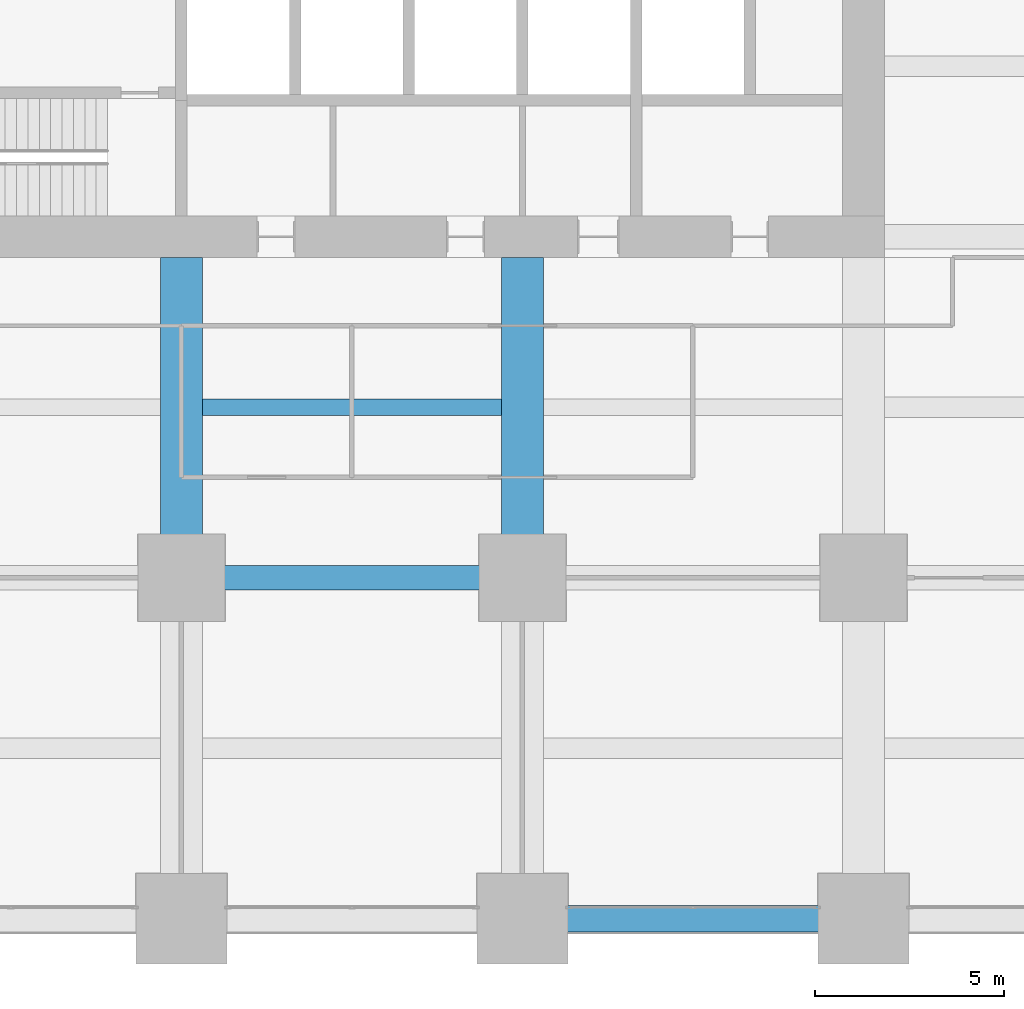
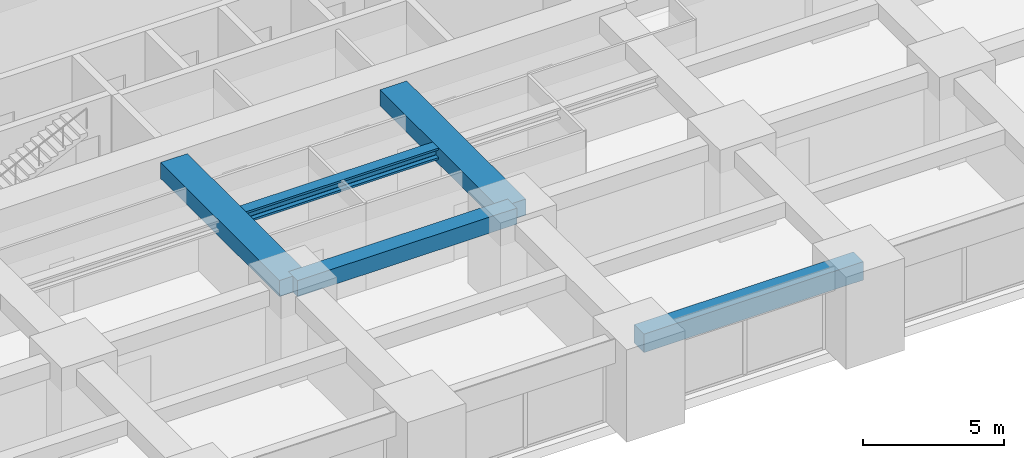
# One storey, part 11 of 38: 5 beams.
"""IFC4 building model written with IfcOpenShell, lengths in metres."""

from ifc_helpers import new_model, si_unit, direction, frame, origin, origin_2d, place, context, subcontext, project, spatial, rectangle, i_section, extrude, material, material_profile, profile_set, type_object, element, save


model = new_model("IFC4")

# Units and contexts
model_context = context("Model", 3, precision=1e-05, world=origin(), true_north=direction((0.0, 1.0)))
body_context = subcontext(model_context, "Body", "Model", "MODEL_VIEW")
ifc_project = project(units=[si_unit("LENGTHUNIT", "METRE"), si_unit("AREAUNIT", "SQUARE_METRE"), si_unit("VOLUMEUNIT", "CUBIC_METRE"), si_unit("PLANEANGLEUNIT", "RADIAN"), si_unit("MASSUNIT", "GRAM", prefix="KILO")], contexts=[model_context])

# Site, building, storey
site_placement = place(None, origin())
site = spatial("IfcSite", under=ifc_project, at=site_placement, CompositionType="ELEMENT")
building_placement = place(site_placement, origin())
building = spatial("IfcBuilding", under=site, at=building_placement, Name="Zorevar Civic Tower", CompositionType="ELEMENT")
storey_placement = place(building_placement, frame((0.0, 0.0, 15.800048828125)))
storey = spatial("IfcBuildingStorey", under=building, at=storey_placement, Name="L03", CompositionType="ELEMENT", Elevation=15.800048828125)

# Beams
ifc_material_1 = material(Name="Concrete C50/60", Category="concrete")
ifc_material_profile_1 = material_profile(ifc_material_1, rectangle(XDim=1.10009765625, YDim=0.699951171875, at=origin_2d()), Name="RC 1100x700")
ifc_profile_set_1 = profile_set([ifc_material_profile_1], Name="Concrete C50/60")
beam_type_1 = type_object("IfcBeamType", Name="Beam RC 1100x700", PredefinedType="BEAM", material=ifc_profile_set_1)
for number, where, z_axis, x_axis, name in (
    (1, (27.0, 9.0, 3.39990234375), (0.0, 1.0, 0.0), (-1.0, 0.0, 0.0), "Girder L04"),
    (2, (36.0, 9.0, 3.39990234375), (0.0, 1.0, 0.0), (-1.0, 0.0, 0.0), "Girder L04"),
):
    element("IfcBeam", number, at=place(storey_placement, frame(where, z_axis=z_axis, x_axis=x_axis)), inside=storey, type_object=beam_type_1, Name=name, PredefinedType="BEAM", context=body_context, shape_type="SweptSolid", body=[
        extrude(rectangle(XDim=1.10009765625, YDim=0.699951171875, at=origin_2d()), origin(), (0.0, 0.0, 1.0), 8.449951171875),
    ])
ifc_material_2 = material(Name="Concrete C50/60", Category="concrete")
ifc_material_profile_2 = material_profile(ifc_material_2, rectangle(XDim=0.64990234375, YDim=0.699951171875, at=origin_2d()), Name="RC 650x700")
ifc_profile_set_2 = profile_set([ifc_material_profile_2], Name="Concrete C50/60")
beam_type_2 = type_object("IfcBeamType", Name="Beam RC 650x700", PredefinedType="BEAM", material=ifc_profile_set_2)
beam_1_placement = place(storey_placement, frame((27.0, 9.0, 3.39990234375), z_axis=(1.0, 0.0, 0.0), x_axis=(0.0, 1.0, 0.0)))
element("IfcBeam", 3, at=beam_1_placement, inside=storey, type_object=beam_type_2, Name="Girder L04", PredefinedType="BEAM", context=body_context, shape_type="SweptSolid", body=[
    extrude(rectangle(XDim=0.64990234375, YDim=0.699951171875, at=origin_2d()), origin(), (0.0, 0.0, 1.0), 9.0),
])
ifc_material_3 = material(Name="Steel S460M (HISTAR 460)", Category="steel")
ifc_material_profile_3 = material_profile(ifc_material_3, i_section(OverallWidth=0.431884765625, OverallDepth=0.498046875, WebThickness=0.0556640625, FlangeThickness=0.0888671875, FilletRadius=0.014892578125, at=origin_2d()), Name="HD 400x744")
ifc_profile_set_3 = profile_set([ifc_material_profile_3], Name="Steel S460M (HISTAR 460)")
beam_type_3 = type_object("IfcBeamType", Name="Core bay beam HD 400x744", PredefinedType="BEAM", material=ifc_profile_set_3)
beam_2_placement = place(storey_placement, frame((27.550048828125, 13.5, 3.5009765625), z_axis=(1.0, 0.0, 0.0), x_axis=(0.0, 1.0, 0.0)))
element("IfcBeam", 4, at=beam_2_placement, inside=storey, type_object=beam_type_3, Name="Secondary beam L04", PredefinedType="BEAM", context=body_context, shape_type="SweptSolid", body=[
    extrude(i_section(OverallWidth=0.431884765625, OverallDepth=0.498046875, WebThickness=0.0556640625, FlangeThickness=0.0888671875, FilletRadius=0.014892578125, at=origin_2d()), origin(), (0.0, 0.0, 1.0), 7.89990234375),
])
ifc_material_4 = material(Name="Concrete C50/60", Category="concrete")
ifc_material_profile_4 = material_profile(ifc_material_4, rectangle(XDim=0.699951171875, YDim=0.800048828125, at=origin_2d()), Name="RC 700x800")
ifc_profile_set_4 = profile_set([ifc_material_profile_4], Name="Concrete C50/60")
beam_type_4 = type_object("IfcBeamType", Name="Edge beam RC 700x800", PredefinedType="SPANDREL", material=ifc_profile_set_4)
beam_3_placement = place(storey_placement, frame((36.0, 0.0, 3.349853515625), z_axis=(1.0, 0.0, 0.0), x_axis=(0.0, 1.0, 0.0)))
element("IfcBeam", 5, at=beam_3_placement, inside=storey, type_object=beam_type_4, Name="Edge beam L04", PredefinedType="SPANDREL", context=body_context, shape_type="SweptSolid", body=[
    extrude(rectangle(XDim=0.699951171875, YDim=0.800048828125, at=origin_2d()), origin(), (0.0, 0.0, 1.0), 9.0),
])

save(model, "model.ifc")
